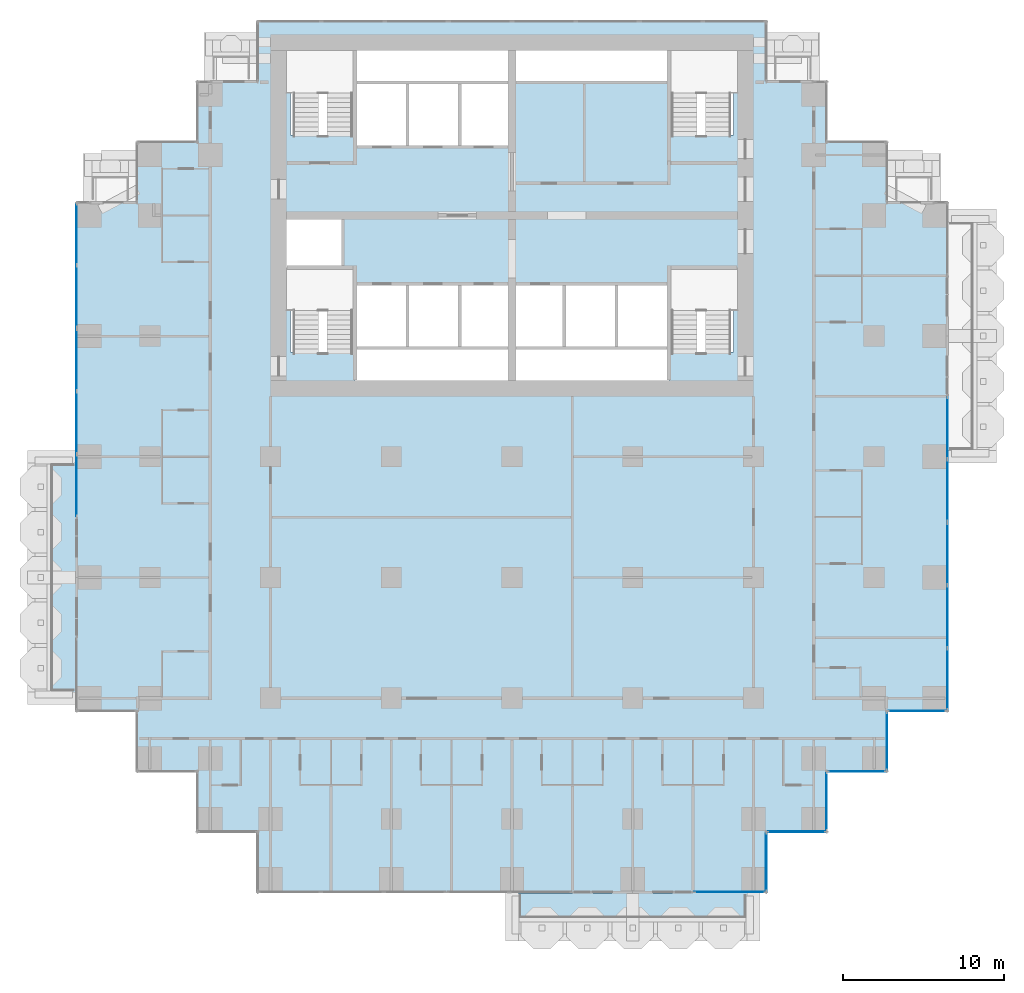
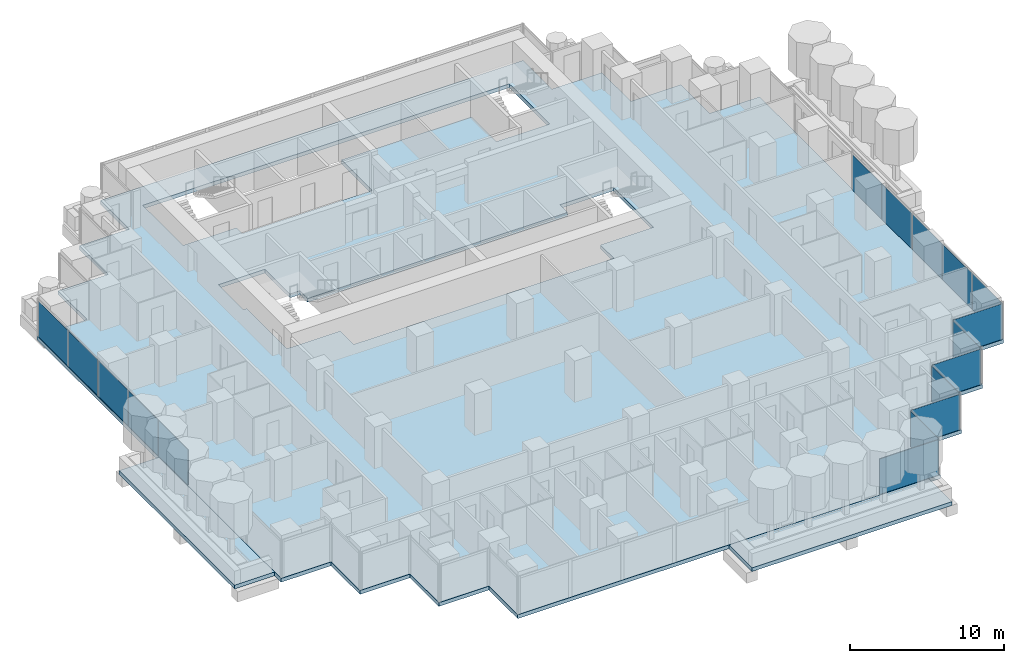
# One storey, part 8 of 19: 17 plates, 3 slabs, 11 elements without a shape of their own.
"""IFC4 building model written with IfcOpenShell, lengths in metres."""

from ifc_helpers import new_model, si_unit, direction, frame, origin, origin_2d, place, context, subcontext, project, spatial, polyline, rectangle, outline, extrude, material, layer, layer_set, type_object, element, aggregate, save


model = new_model("IFC4")

# Units and contexts
model_context = context("Model", 3, precision=1e-05, world=origin(), true_north=direction((0.0, 1.0)))
body_context = subcontext(model_context, "Body", "Model", "MODEL_VIEW")
ifc_project = project(units=[si_unit("LENGTHUNIT", "METRE"), si_unit("AREAUNIT", "SQUARE_METRE"), si_unit("VOLUMEUNIT", "CUBIC_METRE"), si_unit("PLANEANGLEUNIT", "RADIAN"), si_unit("MASSUNIT", "GRAM", prefix="KILO")], contexts=[model_context])

# Site, building, storey
site_placement = place(None, origin())
site = spatial("IfcSite", under=ifc_project, at=site_placement, CompositionType="ELEMENT")
building_placement = place(site_placement, origin())
building = spatial("IfcBuilding", under=site, at=building_placement, Name="Pilkhan Gate Tower", CompositionType="ELEMENT")
storey_placement = place(building_placement, frame((0.0, 0.0, 72.5)))
storey = spatial("IfcBuildingStorey", under=building, at=storey_placement, Name="L16", CompositionType="ELEMENT", Elevation=72.5)

# Slabs
ifc_material_1 = material(Name="Concrete C60/75", Category="concrete")
ifc_layer_1 = layer(ifc_material_1, 0.300048828125)
ifc_layer_set_1 = layer_set([ifc_layer_1], Name="Balcony tray slab TR300")
slab_type_1 = type_object("IfcSlabType", Name="Balcony tray slab TR300", PredefinedType="FLOOR", material=ifc_layer_set_1)
slab_1_placement = place(storey_placement, frame((0.0, 0.0, -0.300048828125)))
element("IfcSlab", 1, at=slab_1_placement, inside=storey, type_object=slab_type_1, Name="Balcony tray L16 S", PredefinedType="FLOOR", context=body_context, shape_type="SweptSolid", body=[
    extrude(outline(polyline([(90.0, 37.39990234375), (90.0, 40.39990234375), (75.0, 40.39990234375), (75.0, 37.39990234375), (90.0, 37.39990234375)])), origin(), (0.0, 0.0, 1.0), 0.300048828125),
])
slab_2_placement = place(storey_placement, frame((0.0, 0.0, -0.300048828125)))
element("IfcSlab", 2, at=slab_2_placement, inside=storey, type_object=slab_type_1, Name="Balcony tray L16 W", PredefinedType="FLOOR", context=body_context, shape_type="SweptSolid", body=[
    extrude(outline(polyline([(47.89990234375, 52.5), (47.89990234375, 67.5), (44.89990234375, 67.5), (44.89990234375, 52.5), (47.89990234375, 52.5)])), origin(), (0.0, 0.0, 1.0), 0.300048828125),
])
ifc_material_2 = material(Name="Concrete C40/50", Category="concrete")
ifc_layer_2 = layer(ifc_material_2, 0.300048828125)
ifc_layer_set_2 = layer_set([ifc_layer_2], Name="Flat plate slab FP300")
slab_type_2 = type_object("IfcSlabType", Name="Flat plate slab FP300", PredefinedType="FLOOR", material=ifc_layer_set_2)
slab_3_placement = place(storey_placement, frame((0.0, 0.0, -0.300048828125)))
element("IfcSlab", 3, at=slab_3_placement, inside=storey, type_object=slab_type_2, Name="Floor slab L16", PredefinedType="FLOOR", context=body_context, shape_type="SweptSolid", body=[
    extrude(outline(polyline([(98.35009765625, 47.89990234375), (94.60009765625, 47.89990234375), (94.60009765625, 44.14990234375), (90.85009765625, 44.14990234375), (90.85009765625, 40.39990234375), (59.14990234375, 40.39990234375), (59.14990234375, 44.14990234375), (55.39990234375, 44.14990234375), (55.39990234375, 47.89990234375), (51.64990234375, 47.89990234375), (51.64990234375, 51.64990234375), (47.89990234375, 51.64990234375), (47.89990234375, 83.35009765625), (51.64990234375, 83.35009765625), (51.64990234375, 87.10009765625), (55.39990234375, 87.10009765625), (55.39990234375, 90.85009765625), (59.14990234375, 90.85009765625), (59.14990234375, 94.60009765625), (90.85009765625, 94.60009765625), (90.85009765625, 90.85009765625), (94.60009765625, 90.85009765625), (94.60009765625, 87.10009765625), (98.35009765625, 87.10009765625), (98.35009765625, 83.35009765625), (102.10009765625, 83.35009765625), (102.10009765625, 51.64990234375), (98.35009765625, 51.64990234375), (98.35009765625, 47.89990234375)]), holes=[polyline([(65.25, 87.5), (65.25, 86.75), (68.5, 86.75), (71.75, 86.75), (75.0, 86.75), (75.0, 90.75), (84.75, 90.75), (84.75, 87.5), (88.75, 87.5), (88.75, 92.75), (84.75, 92.75), (75.0, 92.75), (65.25, 92.75), (61.25, 92.75), (61.25, 87.5), (65.25, 87.5)]), polyline([(75.0, 72.25), (84.75, 72.25), (84.75, 74.0), (88.75, 74.0), (88.75, 79.25), (84.75, 79.25), (84.75, 78.25), (81.5, 78.25), (78.25, 78.25), (75.0, 78.25), (71.75, 78.25), (68.5, 78.25), (65.25, 78.25), (65.25, 79.25), (64.5, 79.25), (64.5, 82.5), (61.25, 82.5), (61.0, 82.5), (61.0, 79.25), (61.25, 79.25), (61.25, 74.0), (65.25, 74.0), (65.25, 72.25), (75.0, 72.25)])]), origin(), (0.0, 0.0, 1.0), 0.300048828125),
])

# Curtain wall, plates
ifc_material_3 = material(Name="Pale anodised aluminium, clear low-iron double glazing", Category="aluminium")
curtain_wall_type = type_object("IfcCurtainWallType", Name="Hotel unitised curtain wall CW-H", PredefinedType="USERDEFINED", material=ifc_material_3)
curtain_wall_1_placement = place(storey_placement, origin())
curtain_wall_1 = element("IfcCurtainWall", 4, at=curtain_wall_1_placement, inside=storey, type_object=curtain_wall_type, Name="Hotel unitised curtain wall CW-H L16 E", ObjectType="UNITISED CURTAIN WALL", PredefinedType="USERDEFINED")
ifc_material_4 = material(Name="Clear low-iron double glazing", Category="glass")
ifc_layer_3 = layer(ifc_material_4, 0.035888671875)
ifc_layer_set_3 = layer_set([ifc_layer_3], Name="Glass panel CW-H 36")
plate_type = type_object("IfcPlateType", Name="Glass panel CW-H 36", PredefinedType="CURTAIN_PANEL", material=ifc_layer_set_3)
plate_1_placement = place(storey_placement, frame((102.044921875, 53.67578125, 0.0), z_axis=(0.0, 0.0, 1.0), x_axis=(0.0, 1.0, 0.0)))
plate_1 = element("IfcPlate", 5, at=plate_1_placement, type_object=plate_type, Name="CW-H panel 1", PredefinedType="CURTAIN_PANEL", context=body_context, shape_type="SweptSolid", body=[
    extrude(rectangle(XDim=3.8115234375, YDim=0.035888671875, at=origin_2d()), origin(), (0.0, 0.0, 1.0), 2.820068359375),
])
plate_2_placement = place(storey_placement, frame((102.044921875, 57.568603515625, 0.0), z_axis=(0.0, 0.0, 1.0), x_axis=(0.0, 1.0, 0.0)))
plate_2 = element("IfcPlate", 6, at=plate_2_placement, type_object=plate_type, Name="CW-H panel 2", PredefinedType="CURTAIN_PANEL", context=body_context, shape_type="SweptSolid", body=[
    extrude(rectangle(XDim=3.843994140625, YDim=0.035888671875, at=origin_2d()), origin(), (0.0, 0.0, 1.0), 2.820068359375),
])
plate_3_placement = place(storey_placement, frame((102.044921875, 61.461181640625, 0.0), z_axis=(0.0, 0.0, 1.0), x_axis=(0.0, 1.0, 0.0)))
plate_3 = element("IfcPlate", 7, at=plate_3_placement, type_object=plate_type, Name="CW-H panel 3", PredefinedType="CURTAIN_PANEL", context=body_context, shape_type="SweptSolid", body=[
    extrude(rectangle(XDim=3.8115234375, YDim=0.035888671875, at=origin_2d()), origin(), (0.0, 0.0, 1.0), 2.820068359375),
])
aggregate(curtain_wall_1, [plate_1, plate_2, plate_3])

curtain_wall_2_placement = place(storey_placement, origin())
curtain_wall_2 = element("IfcCurtainWall", 8, at=curtain_wall_2_placement, inside=storey, type_object=curtain_wall_type, Name="Hotel unitised curtain wall CW-H L16 E", ObjectType="UNITISED CURTAIN WALL", PredefinedType="USERDEFINED")
plate_4_placement = place(storey_placement, frame((102.044921875, 65.40283203125, 0.0), z_axis=(0.0, 0.0, 1.0), x_axis=(0.0, 1.0, 0.0)))
plate_4 = element("IfcPlate", 9, at=plate_4_placement, type_object=plate_type, Name="CW-H panel 1", PredefinedType="CURTAIN_PANEL", context=body_context, shape_type="SweptSolid", body=[
    extrude(rectangle(XDim=3.8115234375, YDim=0.035888671875, at=origin_2d()), origin(), (0.0, 0.0, 1.0), 2.820068359375),
])
plate_5_placement = place(storey_placement, frame((102.044921875, 69.279296875, 0.0), z_axis=(0.0, 0.0, 1.0), x_axis=(0.0, 1.0, 0.0)))
plate_5 = element("IfcPlate", 10, at=plate_5_placement, type_object=plate_type, Name="CW-H panel 2", PredefinedType="CURTAIN_PANEL", context=body_context, shape_type="SweptSolid", body=[
    extrude(rectangle(XDim=3.8115234375, YDim=0.035888671875, at=origin_2d()), origin(), (0.0, 0.0, 1.0), 2.820068359375),
])
aggregate(curtain_wall_2, [plate_4, plate_5])

curtain_wall_3_placement = place(storey_placement, origin())
curtain_wall_3 = element("IfcCurtainWall", 11, at=curtain_wall_3_placement, inside=storey, type_object=curtain_wall_type, Name="Hotel unitised curtain wall CW-H L16 W", ObjectType="UNITISED CURTAIN WALL", PredefinedType="USERDEFINED")
plate_6_placement = place(storey_placement, frame((47.955078125, 65.720703125, 0.0), z_axis=(0.0, 0.0, 1.0), x_axis=(0.0, 1.0, 0.0)))
plate_6 = element("IfcPlate", 12, at=plate_6_placement, type_object=plate_type, Name="CW-H panel 1", PredefinedType="CURTAIN_PANEL", context=body_context, shape_type="SweptSolid", body=[
    extrude(rectangle(XDim=3.8115234375, YDim=0.035888671875, at=origin_2d()), origin(), (0.0, 0.0, 1.0), 2.820068359375),
])
plate_7_placement = place(storey_placement, frame((47.955078125, 69.613525390625, 0.0), z_axis=(0.0, 0.0, 1.0), x_axis=(0.0, 1.0, 0.0)))
plate_7 = element("IfcPlate", 13, at=plate_7_placement, type_object=plate_type, Name="CW-H panel 2", PredefinedType="CURTAIN_PANEL", context=body_context, shape_type="SweptSolid", body=[
    extrude(rectangle(XDim=3.843994140625, YDim=0.035888671875, at=origin_2d()), origin(), (0.0, 0.0, 1.0), 2.820068359375),
])
plate_8_placement = place(storey_placement, frame((47.955078125, 73.50634765625, 0.0), z_axis=(0.0, 0.0, 1.0), x_axis=(0.0, 1.0, 0.0)))
plate_8 = element("IfcPlate", 14, at=plate_8_placement, type_object=plate_type, Name="CW-H panel 3", PredefinedType="CURTAIN_PANEL", context=body_context, shape_type="SweptSolid", body=[
    extrude(rectangle(XDim=3.8115234375, YDim=0.035888671875, at=origin_2d()), origin(), (0.0, 0.0, 1.0), 2.820068359375),
])
aggregate(curtain_wall_3, [plate_6, plate_7, plate_8])

curtain_wall_4_placement = place(storey_placement, origin())
curtain_wall_4 = element("IfcCurtainWall", 15, at=curtain_wall_4_placement, inside=storey, type_object=curtain_wall_type, Name="Hotel unitised curtain wall CW-H L16 W", ObjectType="UNITISED CURTAIN WALL", PredefinedType="USERDEFINED")
plate_9_placement = place(storey_placement, frame((47.955078125, 77.44775390625, 0.0), z_axis=(0.0, 0.0, 1.0), x_axis=(0.0, 1.0, 0.0)))
plate_9 = element("IfcPlate", 16, at=plate_9_placement, type_object=plate_type, Name="CW-H panel 1", PredefinedType="CURTAIN_PANEL", context=body_context, shape_type="SweptSolid", body=[
    extrude(rectangle(XDim=3.8115234375, YDim=0.035888671875, at=origin_2d()), origin(), (0.0, 0.0, 1.0), 2.820068359375),
])
plate_10_placement = place(storey_placement, frame((47.955078125, 81.32421875, 0.0), z_axis=(0.0, 0.0, 1.0), x_axis=(0.0, 1.0, 0.0)))
plate_10 = element("IfcPlate", 17, at=plate_10_placement, type_object=plate_type, Name="CW-H panel 2", PredefinedType="CURTAIN_PANEL", context=body_context, shape_type="SweptSolid", body=[
    extrude(rectangle(XDim=3.8115234375, YDim=0.035888671875, at=origin_2d()), origin(), (0.0, 0.0, 1.0), 2.820068359375),
])
aggregate(curtain_wall_4, [plate_9, plate_10])

# Curtain wall, plate
curtain_wall_5_placement = place(storey_placement, origin())
curtain_wall_5 = element("IfcCurtainWall", 18, at=curtain_wall_5_placement, inside=storey, type_object=curtain_wall_type, Name="Hotel unitised curtain wall CW-H L16 S", ObjectType="UNITISED CURTAIN WALL", PredefinedType="USERDEFINED")
plate_11_placement = place(storey_placement, frame((88.5224609375, 40.455078125, 0.0), z_axis=(0.0, 0.0, 1.0), x_axis=(1.0, 0.0, 0.0)))
plate_11 = element("IfcPlate", 19, at=plate_11_placement, type_object=plate_type, Name="CW-H panel 1", PredefinedType="CURTAIN_PANEL", context=body_context, shape_type="SweptSolid", body=[
    extrude(rectangle(XDim=4.4150390625, YDim=0.035888671875, at=origin_2d()), origin(), (0.0, 0.0, 1.0), 2.820068359375),
])
aggregate(curtain_wall_5, [plate_11])

curtain_wall_6_placement = place(storey_placement, origin())
curtain_wall_6 = element("IfcCurtainWall", 20, at=curtain_wall_6_placement, inside=storey, type_object=curtain_wall_type, Name="Hotel unitised curtain wall CW-H L16 E", ObjectType="UNITISED CURTAIN WALL", PredefinedType="USERDEFINED")
plate_12_placement = place(storey_placement, frame((90.794921875, 42.330078125, 0.0), z_axis=(0.0, 0.0, 1.0), x_axis=(0.0, 1.0, 0.0)))
plate_12 = element("IfcPlate", 21, at=plate_12_placement, type_object=plate_type, Name="CW-H panel 1", PredefinedType="CURTAIN_PANEL", context=body_context, shape_type="SweptSolid", body=[
    extrude(rectangle(XDim=3.6201171875, YDim=0.035888671875, at=origin_2d()), origin(), (0.0, 0.0, 1.0), 2.820068359375),
])
aggregate(curtain_wall_6, [plate_12])

curtain_wall_7_placement = place(storey_placement, origin())
curtain_wall_7 = element("IfcCurtainWall", 22, at=curtain_wall_7_placement, inside=storey, type_object=curtain_wall_type, Name="Hotel unitised curtain wall CW-H L16 S", ObjectType="UNITISED CURTAIN WALL", PredefinedType="USERDEFINED")
plate_13_placement = place(storey_placement, frame((92.669921875, 44.205078125, 0.0), z_axis=(0.0, 0.0, 1.0), x_axis=(1.0, 0.0, 0.0)))
plate_13 = element("IfcPlate", 23, at=plate_13_placement, type_object=plate_type, Name="CW-H panel 1", PredefinedType="CURTAIN_PANEL", context=body_context, shape_type="SweptSolid", body=[
    extrude(rectangle(XDim=3.6201171875, YDim=0.035888671875, at=origin_2d()), origin(), (0.0, 0.0, 1.0), 2.820068359375),
])
aggregate(curtain_wall_7, [plate_13])

curtain_wall_8_placement = place(storey_placement, origin())
curtain_wall_8 = element("IfcCurtainWall", 24, at=curtain_wall_8_placement, inside=storey, type_object=curtain_wall_type, Name="Hotel unitised curtain wall CW-H L16 E", ObjectType="UNITISED CURTAIN WALL", PredefinedType="USERDEFINED")
plate_14_placement = place(storey_placement, frame((94.544921875, 46.080078125, 0.0), z_axis=(0.0, 0.0, 1.0), x_axis=(0.0, 1.0, 0.0)))
plate_14 = element("IfcPlate", 25, at=plate_14_placement, type_object=plate_type, Name="CW-H panel 1", PredefinedType="CURTAIN_PANEL", context=body_context, shape_type="SweptSolid", body=[
    extrude(rectangle(XDim=3.6201171875, YDim=0.035888671875, at=origin_2d()), origin(), (0.0, 0.0, 1.0), 2.820068359375),
])
aggregate(curtain_wall_8, [plate_14])

curtain_wall_9_placement = place(storey_placement, origin())
curtain_wall_9 = element("IfcCurtainWall", 26, at=curtain_wall_9_placement, inside=storey, type_object=curtain_wall_type, Name="Hotel unitised curtain wall CW-H L16 S", ObjectType="UNITISED CURTAIN WALL", PredefinedType="USERDEFINED")
plate_15_placement = place(storey_placement, frame((96.419921875, 47.955078125, 0.0), z_axis=(0.0, 0.0, 1.0), x_axis=(1.0, 0.0, 0.0)))
plate_15 = element("IfcPlate", 27, at=plate_15_placement, type_object=plate_type, Name="CW-H panel 1", PredefinedType="CURTAIN_PANEL", context=body_context, shape_type="SweptSolid", body=[
    extrude(rectangle(XDim=3.6201171875, YDim=0.035888671875, at=origin_2d()), origin(), (0.0, 0.0, 1.0), 2.820068359375),
])
aggregate(curtain_wall_9, [plate_15])

curtain_wall_10_placement = place(storey_placement, origin())
curtain_wall_10 = element("IfcCurtainWall", 28, at=curtain_wall_10_placement, inside=storey, type_object=curtain_wall_type, Name="Hotel unitised curtain wall CW-H L16 E", ObjectType="UNITISED CURTAIN WALL", PredefinedType="USERDEFINED")
plate_16_placement = place(storey_placement, frame((98.294921875, 49.830078125, 0.0), z_axis=(0.0, 0.0, 1.0), x_axis=(0.0, 1.0, 0.0)))
plate_16 = element("IfcPlate", 29, at=plate_16_placement, type_object=plate_type, Name="CW-H panel 1", PredefinedType="CURTAIN_PANEL", context=body_context, shape_type="SweptSolid", body=[
    extrude(rectangle(XDim=3.6201171875, YDim=0.035888671875, at=origin_2d()), origin(), (0.0, 0.0, 1.0), 2.820068359375),
])
aggregate(curtain_wall_10, [plate_16])

curtain_wall_11_placement = place(storey_placement, origin())
curtain_wall_11 = element("IfcCurtainWall", 30, at=curtain_wall_11_placement, inside=storey, type_object=curtain_wall_type, Name="Hotel unitised curtain wall CW-H L16 S", ObjectType="UNITISED CURTAIN WALL", PredefinedType="USERDEFINED")
plate_17_placement = place(storey_placement, frame((100.169921875, 51.705078125, 0.0), z_axis=(0.0, 0.0, 1.0), x_axis=(1.0, 0.0, 0.0)))
plate_17 = element("IfcPlate", 31, at=plate_17_placement, type_object=plate_type, Name="CW-H panel 1", PredefinedType="CURTAIN_PANEL", context=body_context, shape_type="SweptSolid", body=[
    extrude(rectangle(XDim=3.6201171875, YDim=0.035888671875, at=origin_2d()), origin(), (0.0, 0.0, 1.0), 2.820068359375),
])
aggregate(curtain_wall_11, [plate_17])

save(model, "model.ifc")
